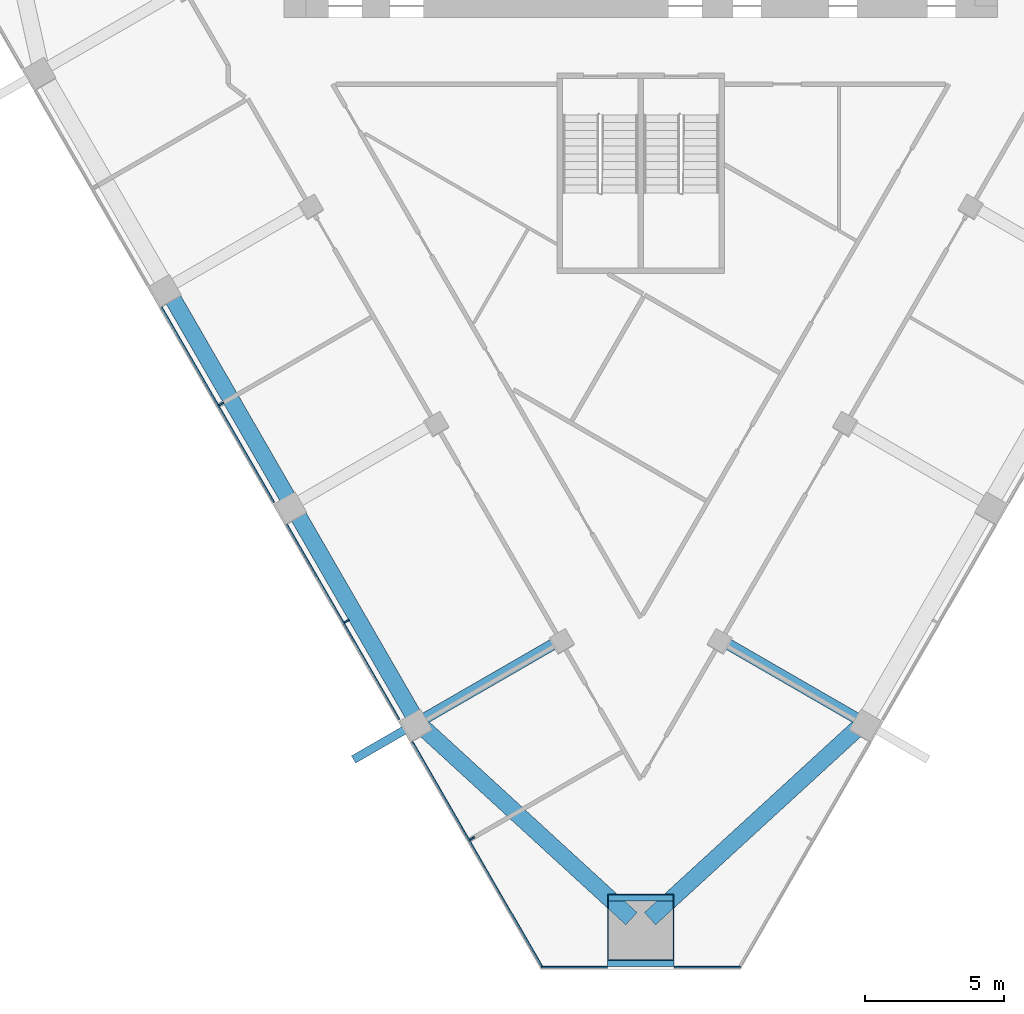
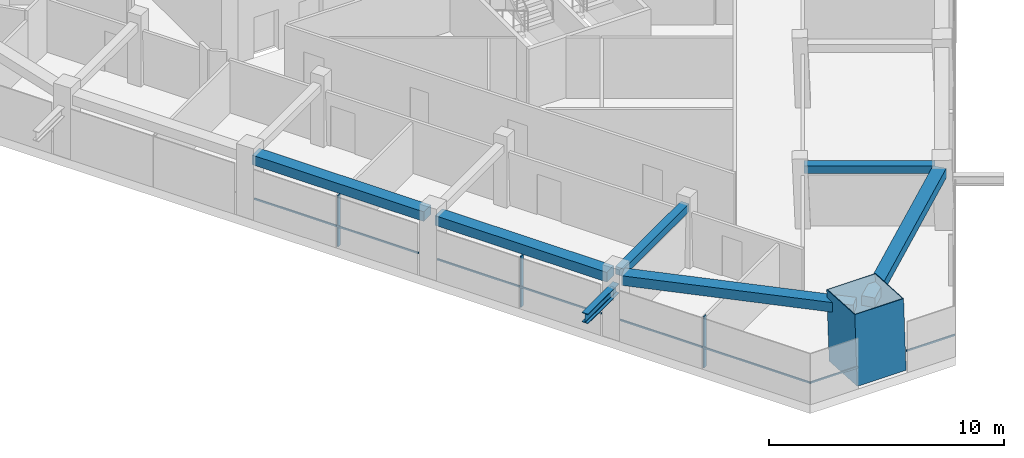
# One storey, part 2 of 13: 10 members, 6 beams, 2 elements without a shape of their own.
"""IFC4 building model written with IfcOpenShell, lengths in metres."""

import ifcopenshell
import ifcopenshell.guid

model = None  # the IFC model being written
_history = None  # IfcOwnerHistory: only IFC2X3 demands one
_inside = {}  # id of a spatial element -> (the spatial element, [elements in it])
_under = {}  # id of a project, library or spatial element -> (it, [spatial elements below it])
_declared = {}  # id of a project -> (the project, [libraries it declares])
_typed = {}  # id of a type object -> (the type object, [elements of that type])
_made_of = {}  # id of a material, layer set ... -> (it, [elements and type objects made of it])


def new_model(schema):
    """Start an empty IFC model of exactly this schema.

    Asked for "IFC4X3", IfcOpenShell would pick the latest addendum, in which some entities
    have other attributes; the version numbers below select the first issue.
    IFC2X3 requires an IfcOwnerHistory on every rooted entity: one is made here for all.
    """
    global model, _history
    if schema == "IFC4X3":
        model = ifcopenshell.file(schema_version=(4, 3, 0, 0))
    else:
        model = ifcopenshell.file(schema=schema)
    _inside.clear()
    _under.clear()
    _declared.clear()
    _typed.clear()
    _made_of.clear()
    _history = None
    if model.schema == "IFC2X3":
        org = make("IfcOrganization", Name="unknown")
        user = make(
            "IfcPersonAndOrganization",
            ThePerson=make("IfcPerson", FamilyName="unknown"),
            TheOrganization=org,
        )
        app = make(
            "IfcApplication",
            ApplicationDeveloper=org,
            Version="unknown",
            ApplicationFullName="unknown",
            ApplicationIdentifier="unknown",
        )
        _history = make(
            "IfcOwnerHistory",
            OwningUser=user,
            OwningApplication=app,
            ChangeAction="ADDED",
            CreationDate=0,
        )
    return model


def make(cls, **values):
    """One entity of the class cls with the attributes given. An attribute that is None is left unset."""
    return model.create_entity(
        cls, **{name: value for name, value in values.items() if value is not None}
    )


def rooted(cls, **values):
    """An entity with a GlobalId (a new one), such as an element, a storey or a relation."""
    return make(cls, GlobalId=ifcopenshell.guid.new(), OwnerHistory=_history, **values)


def si_unit(unit_type, name, prefix=None):
    """IfcSIUnit, for example si_unit("LENGTHUNIT", "METRE", prefix="MILLI")."""
    return make("IfcSIUnit", UnitType=unit_type, Prefix=prefix, Name=name)


def assignment(units):
    """IfcUnitAssignment: the units of a project."""
    return None if units is None else make("IfcUnitAssignment", Units=units)


def point(xyz):
    """IfcCartesianPoint."""
    return None if xyz is None else make("IfcCartesianPoint", Coordinates=xyz)


def direction(xyz):
    """IfcDirection."""
    return None if xyz is None else make("IfcDirection", DirectionRatios=xyz)


def frame(location, z_axis=None, x_axis=None):
    """IfcAxis2Placement3D, a coordinate frame: its origin and axes. An axis left out is left unset."""
    return make(
        "IfcAxis2Placement3D",
        Location=point(location),
        Axis=direction(z_axis),
        RefDirection=direction(x_axis),
    )


def frame_2d(location, x_axis=None):
    """IfcAxis2Placement2D, a coordinate frame in the plane: its origin and x axis."""
    return make(
        "IfcAxis2Placement2D", Location=point(location), RefDirection=direction(x_axis)
    )


def origin():
    """The frame at (0, 0, 0) with its axes left unset."""
    return frame((0.0, 0.0, 0.0))


def origin_2d():
    """The frame at (0, 0) in the plane with its x axis left unset."""
    return frame_2d((0.0, 0.0))


def place(relative_to, where):
    """IfcLocalPlacement: puts the frame where relative to a parent placement (None: the world)."""
    return make(
        "IfcLocalPlacement", PlacementRelTo=relative_to, RelativePlacement=where
    )


def context(
    kind, dimensions, precision=None, world=None, true_north=None, identifier=None
):
    """IfcGeometricRepresentationContext, for example the 3D "Model" context."""
    return make(
        "IfcGeometricRepresentationContext",
        ContextIdentifier=identifier,
        ContextType=kind,
        CoordinateSpaceDimension=dimensions,
        Precision=precision,
        WorldCoordinateSystem=world,
        TrueNorth=true_north,
    )


def subcontext(parent, identifier, kind, view, scale=None):
    """IfcGeometricRepresentationSubContext, for example "Body" below "Model"."""
    return make(
        "IfcGeometricRepresentationSubContext",
        ContextIdentifier=identifier,
        ContextType=kind,
        ParentContext=parent,
        TargetScale=scale,
        TargetView=view,
    )


def project(units=None, contexts=None):
    """IfcProject with its units and contexts."""
    return rooted(
        "IfcProject",
        Name="project",
        RepresentationContexts=contexts,
        UnitsInContext=assignment(units),
    )


def spatial(cls, under=None, at=None, **own):
    """A site, building, storey or space (cls), placed at a placement, below another one or the project."""
    s = rooted(cls, ObjectPlacement=at, **own)
    if under is not None:
        _under.setdefault(under.id(), (under, []))[1].append(s)
    return s


def profile(cls, at=None, kind="AREA", **sizes):
    """A parametric profile (cls). Its sizes go by their IFC names, for example OverallWidth=200.0."""
    return make(cls, ProfileType=kind, Position=at, **sizes)


def rectangle(**sizes):
    """IfcRectangleProfileDef."""
    return profile("IfcRectangleProfileDef", **sizes)


def hollow_rectangle(**sizes):
    """IfcRectangleHollowProfileDef."""
    return profile("IfcRectangleHollowProfileDef", **sizes)


def i_section(**sizes):
    """IfcIShapeProfileDef."""
    return profile("IfcIShapeProfileDef", **sizes)


def extrude(swept, where, along, depth):
    """IfcExtrudedAreaSolid: the profile swept, set in the frame where, extruded along a direction by depth."""
    return make(
        "IfcExtrudedAreaSolid",
        SweptArea=swept,
        Position=where,
        ExtrudedDirection=direction(along),
        Depth=depth,
    )


def shape(context_of_items, identifier, shape_type, items):
    """IfcShapeRepresentation: the items that make up one representation, for example the "Body"."""
    return make(
        "IfcShapeRepresentation",
        ContextOfItems=context_of_items,
        RepresentationIdentifier=identifier,
        RepresentationType=shape_type,
        Items=items,
    )


def material(Name=None, Category=None):
    """IfcMaterial."""
    return make("IfcMaterial", Name=Name, Category=Category)


def layer(
    of_material, thickness, ventilated=None, Name=None, Category=None, Priority=None
):
    """IfcMaterialLayer: one layer of a wall or slab, of a material (None: an air gap)."""
    return make(
        "IfcMaterialLayer",
        Material=of_material,
        LayerThickness=thickness,
        IsVentilated=ventilated,
        Name=Name,
        Category=Category,
        Priority=Priority,
    )


def layer_set(layers, Name=None):
    """IfcMaterialLayerSet."""
    return make("IfcMaterialLayerSet", MaterialLayers=layers, LayerSetName=Name)


def material_profile(
    of_material, cross_section, Name=None, Category=None, Priority=None
):
    """IfcMaterialProfile: a cross section and its material."""
    return make(
        "IfcMaterialProfile",
        Name=Name,
        Material=of_material,
        Profile=cross_section,
        Priority=Priority,
        Category=Category,
    )


def profile_set(profiles, Name=None, composite=None):
    """IfcMaterialProfileSet."""
    return make(
        "IfcMaterialProfileSet",
        Name=Name,
        MaterialProfiles=profiles,
        CompositeProfile=composite,
    )


def made_of(thing, what):
    """Note that an element or type object is made of a material, layer set ...; save() writes the relation."""
    if what is not None:
        _made_of.setdefault(what.id(), (what, []))[1].append(thing)
    return thing


def type_object(cls, material=None, **own):
    """A type object (cls), such as IfcWallType, which elements share."""
    return made_of(rooted(cls, **own), material)


def element(
    cls,
    number,
    at=None,
    inside=None,
    cuts=None,
    type_object=None,
    material=None,
    context=None,
    identifier="Body",
    shape_type=None,
    held_by="IfcProductDefinitionShape",
    body=None,
    shapes=None,
    **own,
):
    """One element of the class cls, such as IfcWall. Its Tag is "e" and its number.

    at: its placement. inside: the storey or other place that contains it. cuts: it is an
    opening in that element (IfcRelVoidsElement). A single representation is given by context,
    identifier, shape_type and body (its items); several are given by shapes. held_by: the class
    of the entity that holds the representations. save() writes the other relations.
    """
    e = rooted(cls, Tag="e%d" % number, ObjectPlacement=at, **own)
    if body is not None:
        shapes = [shape(context, identifier, shape_type, body)]
    if shapes is not None:
        e.Representation = make(held_by, Representations=shapes)
    if inside is not None:
        _inside.setdefault(inside.id(), (inside, []))[1].append(e)
    if cuts is not None:
        rooted(
            "IfcRelVoidsElement", RelatingBuildingElement=cuts, RelatedOpeningElement=e
        )
    if type_object is not None:
        _typed.setdefault(type_object.id(), (type_object, []))[1].append(e)
    return made_of(e, material)


def aggregate(whole, parts):
    """IfcRelAggregates: a whole, such as a stair, and the parts it consists of."""
    return rooted("IfcRelAggregates", RelatingObject=whole, RelatedObjects=parts)


def save(model, path):
    """Write the relations noted so far, then the file.

    IfcRelAggregates (storeys below a building ...), IfcRelContainedInSpatialStructure (elements
    in a storey), IfcRelDefinesByType, IfcRelAssociatesMaterial and IfcRelDeclares: one each for
    every whole, place, type object, material and project.
    """
    for whole, parts in _under.values():
        aggregate(whole, parts)
    for where, things in _inside.values():
        rooted(
            "IfcRelContainedInSpatialStructure",
            RelatedElements=things,
            RelatingStructure=where,
        )
    for kind, things in _typed.values():
        rooted("IfcRelDefinesByType", RelatedObjects=things, RelatingType=kind)
    for what, things in _made_of.values():
        rooted("IfcRelAssociatesMaterial", RelatedObjects=things, RelatingMaterial=what)
    for by, libraries in _declared.values():
        rooted("IfcRelDeclares", RelatingContext=by, RelatedDefinitions=libraries)
    model.write(path)


model = new_model("IFC4")

# Units and contexts
model_context = context("Model", 3, precision=1e-05, world=origin(), true_north=direction((0.0, 1.0)))
body_context = subcontext(model_context, "Body", "Model", "MODEL_VIEW")
ifc_project = project(units=[si_unit("LENGTHUNIT", "METRE"), si_unit("AREAUNIT", "SQUARE_METRE"), si_unit("VOLUMEUNIT", "CUBIC_METRE"), si_unit("PLANEANGLEUNIT", "RADIAN"), si_unit("MASSUNIT", "GRAM", prefix="KILO")], contexts=[model_context])

# Site, building, storey
site_placement = place(None, origin())
site = spatial("IfcSite", under=ifc_project, at=site_placement, CompositionType="ELEMENT")
building_placement = place(site_placement, origin())
building = spatial("IfcBuilding", under=site, at=building_placement, Name="Altiplano Prism Tower", CompositionType="ELEMENT")
storey_placement = place(building_placement, frame((0.0, 0.0, 160.199951171875)))
storey = spatial("IfcBuildingStorey", under=building, at=storey_placement, Name="L41", CompositionType="ELEMENT", Elevation=160.199951171875)

# Member
ifc_material_1 = material(Name="Steel S355", Category="steel")
ifc_material_profile_1 = material_profile(ifc_material_1, i_section(OverallWidth=0.300048828125, OverallDepth=0.5, WebThickness=0.014404296875, FlangeThickness=0.028076171875, FilletRadius=0.027099609375, at=origin_2d()), Name="Brace bracket HEB 500")
ifc_profile_set_1 = profile_set([ifc_material_profile_1], Name="Steel S355")
member_type_1 = type_object("IfcMemberType", Name="Brace bracket HEB 500", PredefinedType="STRUT", material=ifc_profile_set_1)
member_1_placement = place(storey_placement, frame((76.99267578125, 67.29833984375, 2.303955078125), z_axis=(-0.866029095148, -0.499993606316, 0.0), x_axis=(0.499993606316, -0.866029095148, 0.0)))
element("IfcMember", 1, at=member_1_placement, inside=storey, type_object=member_type_1, Name="Brace bracket 1.163.8", PredefinedType="STRUT", context=body_context, shape_type="SweptSolid", body=[
    extrude(i_section(OverallWidth=0.300048828125, OverallDepth=0.5, WebThickness=0.014404296875, FlangeThickness=0.028076171875, FilletRadius=0.027099609375, at=origin_2d()), origin(), (0.0, 0.0, 1.0), 2.64990234375),
])

# Curtain wall, members
ifc_material_2 = material(Name="Aluminium and glass", Category="aluminium")
ifc_layer = layer(ifc_material_2, 0.303955078125)
ifc_layer_set = layer_set([ifc_layer], Name="Aluminium and glass")
curtain_wall_type = type_object("IfcCurtainWallType", Name="CW2 lounge-band unitised glazing", PredefinedType="NOTDEFINED", material=ifc_layer_set)
curtain_wall_1_placement = place(storey_placement, origin())
curtain_wall_1 = element("IfcCurtainWall", 2, at=curtain_wall_1_placement, inside=storey, type_object=curtain_wall_type, Name="CW2 curtain wall south-west face L41", PredefinedType="NOTDEFINED")
ifc_material_3 = material(Name="Aluminium", Category="aluminium")
ifc_material_profile_2 = material_profile(ifc_material_3, rectangle(XDim=0.199951171875, YDim=0.06005859375, at=origin_2d()), Name="CW2 mullion 60 x 200")
ifc_profile_set_2 = profile_set([ifc_material_profile_2], Name="Aluminium")
member_type_2 = type_object("IfcMemberType", Name="CW2 mullion 60 x 200", PredefinedType="MULLION", material=ifc_profile_set_2)
member_2_placement = place(storey_placement, frame((69.94970703125, 78.728271484375, 0.0), z_axis=(0.0, 0.0, 1.0), x_axis=(0.866025401978, 0.500000003129, 0.0)))
member_2 = element("IfcMember", 3, at=member_2_placement, type_object=member_type_2, Name="CW2 mullion", PredefinedType="MULLION", context=body_context, shape_type="SweptSolid", body=[
    extrude(rectangle(XDim=0.199951171875, YDim=0.06005859375, at=origin_2d()), origin(), (0.0, 0.0, 1.0), 2.650146484375),
])
member_3_placement = place(storey_placement, frame((74.44970703125, 70.93408203125, 0.0), z_axis=(0.0, 0.0, 1.0), x_axis=(0.866025401978, 0.500000003129, 0.0)))
member_3 = element("IfcMember", 4, at=member_3_placement, type_object=member_type_2, Name="CW2 mullion", PredefinedType="MULLION", context=body_context, shape_type="SweptSolid", body=[
    extrude(rectangle(XDim=0.199951171875, YDim=0.06005859375, at=origin_2d()), origin(), (0.0, 0.0, 1.0), 2.650146484375),
])
member_4_placement = place(storey_placement, frame((78.94970703125, 63.1396484375, 0.0), z_axis=(0.0, 0.0, 1.0), x_axis=(0.866025401978, 0.500000003129, 0.0)))
member_4 = element("IfcMember", 5, at=member_4_placement, type_object=member_type_2, Name="CW2 mullion", PredefinedType="MULLION", context=body_context, shape_type="SweptSolid", body=[
    extrude(rectangle(XDim=0.199951171875, YDim=0.06005859375, at=origin_2d()), origin(), (0.0, 0.0, 1.0), 2.650146484375),
])
ifc_material_profile_3 = material_profile(ifc_material_3, rectangle(XDim=0.06005859375, YDim=0.080078125, at=origin_2d()), Name="CW2 transom 80 x 60")
ifc_profile_set_3 = profile_set([ifc_material_profile_3], Name="Aluminium")
member_type_3 = type_object("IfcMemberType", Name="CW2 transom 80 x 60", PredefinedType="USERDEFINED", material=ifc_profile_set_3)
member_5_placement = place(storey_placement, frame((67.800048828125, 82.191650390625, 1.10009765625), z_axis=(0.499994808408, -0.866028401131, 0.0), x_axis=(0.866028401131, 0.499994808408, 0.0)))
member_5 = element("IfcMember", 6, at=member_5_placement, type_object=member_type_3, Name="CW2 transom", ObjectType="TRANSOM", PredefinedType="USERDEFINED", context=body_context, shape_type="SweptSolid", body=[
    extrude(rectangle(XDim=0.06005859375, YDim=0.080078125, at=origin_2d()), origin(), (0.0, 0.0, 1.0), 8.06982421875),
])
member_6_placement = place(storey_placement, frame((72.300048828125, 74.3974609375, 1.10009765625), z_axis=(0.499994808408, -0.866028401131, 0.0), x_axis=(0.866028401131, 0.499994808408, 0.0)))
member_6 = element("IfcMember", 7, at=member_6_placement, type_object=member_type_3, Name="CW2 transom", ObjectType="TRANSOM", PredefinedType="USERDEFINED", context=body_context, shape_type="SweptSolid", body=[
    extrude(rectangle(XDim=0.06005859375, YDim=0.080078125, at=origin_2d()), origin(), (0.0, 0.0, 1.0), 8.06982421875),
])
member_7_placement = place(storey_placement, frame((76.800048828125, 66.603271484375, 1.10009765625), z_axis=(0.499998191542, -0.866026447896, 0.0), x_axis=(0.866026447896, 0.499998191542, 0.0)))
member_7 = element("IfcMember", 8, at=member_7_placement, type_object=member_type_3, Name="CW2 transom", ObjectType="TRANSOM", PredefinedType="USERDEFINED", context=body_context, shape_type="SweptSolid", body=[
    extrude(rectangle(XDim=0.06005859375, YDim=0.080078125, at=origin_2d()), origin(), (0.0, 0.0, 1.0), 9.3759765625),
])
aggregate(curtain_wall_1, [member_2, member_5, member_3, member_6, member_4, member_7])

curtain_wall_2_placement = place(storey_placement, origin())
curtain_wall_2 = element("IfcCurtainWall", 9, at=curtain_wall_2_placement, inside=storey, type_object=curtain_wall_type, Name="CW2 curtain wall south chamfer L41", PredefinedType="NOTDEFINED")
member_8_placement = place(storey_placement, frame((81.423828125, 58.520263671875, 1.10009765625), z_axis=(1.0, 0.0, 0.0), x_axis=(0.0, 1.0, 0.0)))
member_8 = element("IfcMember", 10, at=member_8_placement, type_object=member_type_3, Name="CW2 transom", ObjectType="TRANSOM", PredefinedType="USERDEFINED", context=body_context, shape_type="SweptSolid", body=[
    extrude(rectangle(XDim=0.06005859375, YDim=0.080078125, at=origin_2d()), origin(), (0.0, 0.0, 1.0), 2.376220703125),
])
member_9_placement = place(storey_placement, frame((86.199951171875, 58.520263671875, 1.10009765625), z_axis=(1.0, 0.0, 0.0), x_axis=(0.0, 1.0, 0.0)))
member_9 = element("IfcMember", 11, at=member_9_placement, type_object=member_type_3, Name="CW2 transom", ObjectType="TRANSOM", PredefinedType="USERDEFINED", context=body_context, shape_type="SweptSolid", body=[
    extrude(rectangle(XDim=0.06005859375, YDim=0.080078125, at=origin_2d()), origin(), (0.0, 0.0, 1.0), 2.376220703125),
])
aggregate(curtain_wall_2, [member_8, member_9])

# Beams
ifc_material_4 = material(Name="Concrete C60/75", Category="concrete")
ifc_material_profile_4 = material_profile(ifc_material_4, rectangle(XDim=0.60009765625, YDim=0.5, at=origin_2d()), Name="Edge beam 600x500")
ifc_profile_set_4 = profile_set([ifc_material_profile_4], Name="Concrete C60/75")
beam_type_1 = type_object("IfcBeamType", Name="Edge beam 600x500", PredefinedType="SPANDREL", material=ifc_profile_set_4)
for number, where, z_axis, x_axis, name in (
    (12, (68.1328125, 82.644287109375, 2.900146484375), (0.500006240468, -0.866021800818, 0.0), (0.866021800818, 0.500006240468, 0.0), "Edge beam P12-P13 L42"),
    (13, (72.6328125, 74.85009765625, 2.900146484375), (0.500006240468, -0.866021800818, 0.0), (0.866021800818, 0.500006240468, 0.0), "Edge beam P13-P14 L42"),
):
    element("IfcBeam", number, at=place(storey_placement, frame(where, z_axis=z_axis, x_axis=x_axis)), inside=storey, type_object=beam_type_1, Name=name, PredefinedType="SPANDREL", context=body_context, shape_type="SweptSolid", body=[
        extrude(rectangle(XDim=0.60009765625, YDim=0.5, at=origin_2d()), origin(), (0.0, 0.0, 1.0), 8.43994140625),
    ])
for number, where, z_axis, x_axis, name in (
    (14, (77.21337890625, 67.09619140625, 2.900146484375), (0.737074978449, -0.675810976638, 0.0), (0.675810976638, 0.737074978449, 0.0), "Edge beam P14-M1 L42"),
    (15, (85.331787109375, 60.260986328125, 2.900146484375), (0.737074978449, 0.675810976638, 0.0), (-0.675810976638, 0.737074978449, 0.0), "Edge beam M1-P21 L42"),
):
    element("IfcBeam", number, at=place(storey_placement, frame(where, z_axis=z_axis, x_axis=x_axis)), inside=storey, type_object=beam_type_1, Name=name, PredefinedType="SPANDREL", context=body_context, shape_type="SweptSolid", body=[
        extrude(rectangle(XDim=0.60009765625, YDim=0.5, at=origin_2d()), origin(), (0.0, 0.0, 1.0), 10.114013671875),
    ])

# Member
ifc_material_5 = material(Name="Steel S460", Category="steel")
ifc_material_profile_5 = material_profile(ifc_material_5, hollow_rectangle(XDim=2.39990234375, YDim=2.39990234375, WallThickness=0.0400390625, at=origin_2d()), Name="Mega column tube 2400")
ifc_profile_set_5 = profile_set([ifc_material_profile_5], Name="Steel S460")
member_type_4 = type_object("IfcMemberType", Name="Mega column tube 2400", PredefinedType="POST", material=ifc_profile_set_5)
member_10_placement = place(storey_placement, frame((85.0, 59.746337890625, 0.0), z_axis=(0.0, 0.058356907999, 0.998295783467), x_axis=(-1.0, 0.0, 0.0)))
element("IfcMember", 16, at=member_10_placement, inside=storey, type_object=member_type_4, Name="Mega column tube M1 L41", PredefinedType="POST", context=body_context, shape_type="SweptSolid", body=[
    extrude(hollow_rectangle(XDim=2.39990234375, YDim=2.39990234375, WallThickness=0.0400390625, at=origin_2d()), origin(), (0.0, 0.0, 1.0), 3.606201171875),
])

# Beams
ifc_material_profile_6 = material_profile(ifc_material_4, rectangle(XDim=0.39990234375, YDim=0.39990234375, at=origin_2d()), Name="Tie beam 400x400")
ifc_profile_set_6 = profile_set([ifc_material_profile_6], Name="Concrete C60/75")
beam_type_2 = type_object("IfcBeamType", Name="Tie beam 400x400", PredefinedType="BEAM", material=ifc_profile_set_6)
for number, where, z_axis, x_axis, name in (
    (17, (82.076416015625, 70.2333984375, 2.949951171875), (-0.866030670444, -0.499990877767, 0.0), (0.499990877767, -0.866030670444, 0.0), "Tie beam I14 L42"),
    (18, (87.923583984375, 70.2333984375, 2.949951171875), (0.866030670444, -0.499990877767, 0.0), (0.499990877767, 0.866030670444, 0.0), "Tie beam I21 L42"),
):
    element("IfcBeam", number, at=place(storey_placement, frame(where, z_axis=z_axis, x_axis=x_axis)), inside=storey, type_object=beam_type_2, Name=name, PredefinedType="BEAM", context=body_context, shape_type="SweptSolid", body=[
        extrude(rectangle(XDim=0.39990234375, YDim=0.39990234375, at=origin_2d()), origin(), (0.0, 0.0, 1.0), 5.58984375),
    ])

save(model, "model.ifc")
